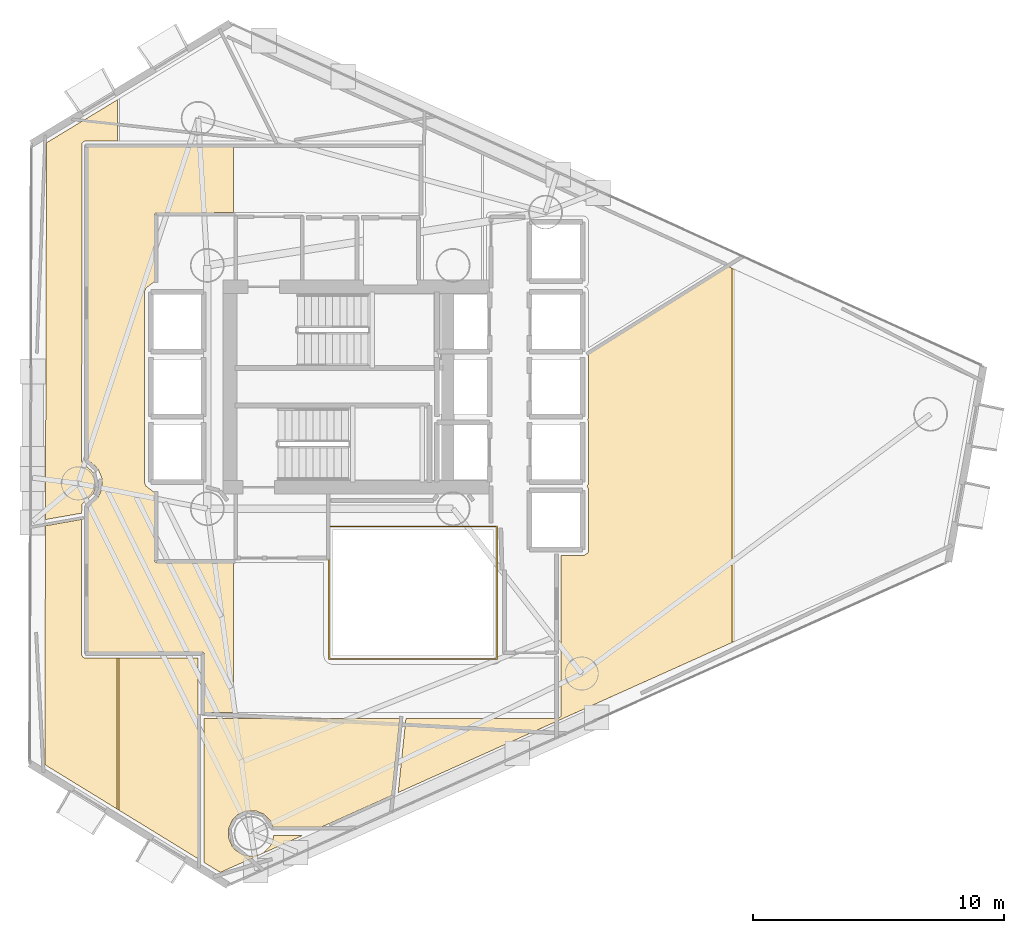
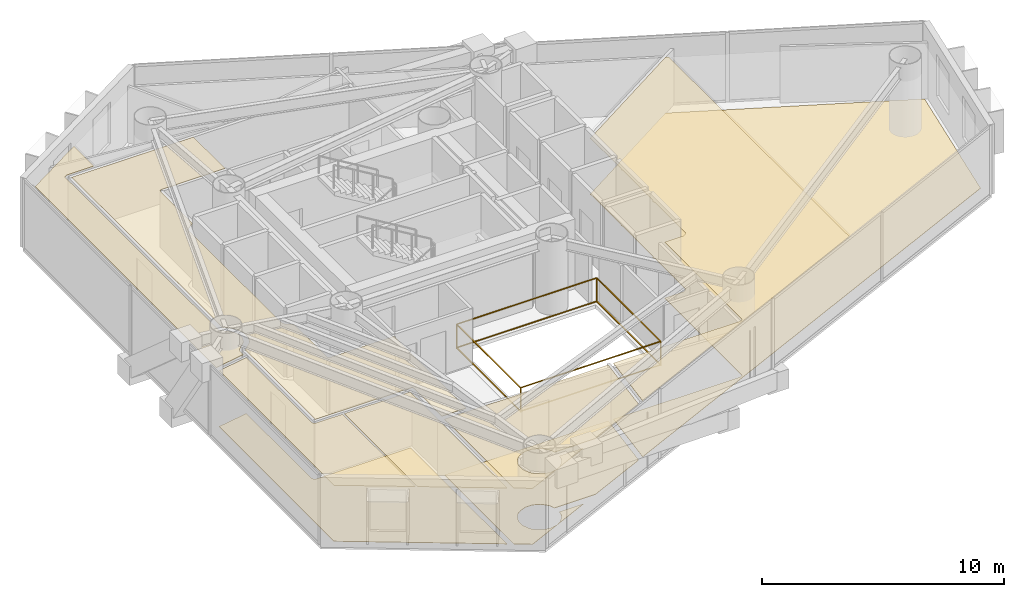
# One storey, part 21 of 23: 9 coverings, 1 railing.
"""IFC4 building model written with IfcOpenShell, lengths in metres."""

from ifc_helpers import new_model, si_unit, direction, frame, origin, origin_2d, place, context, subcontext, project, spatial, polyline, rectangle, outline, extrude, material, layer, layer_set, type_object, element, save


model = new_model("IFC4")

# Units and contexts
model_context = context("Model", 3, precision=1e-05, world=origin(), true_north=direction((0.0, 1.0)))
body_context = subcontext(model_context, "Body", "Model", "MODEL_VIEW")
ifc_project = project(units=[si_unit("LENGTHUNIT", "METRE"), si_unit("AREAUNIT", "SQUARE_METRE"), si_unit("VOLUMEUNIT", "CUBIC_METRE"), si_unit("PLANEANGLEUNIT", "RADIAN"), si_unit("MASSUNIT", "GRAM", prefix="KILO")], contexts=[model_context])

# Site, building, storey
site_placement = place(None, origin())
site = spatial("IfcSite", under=ifc_project, at=site_placement, CompositionType="ELEMENT")
building_placement = place(site_placement, origin())
building = spatial("IfcBuilding", under=site, at=building_placement, Name="Qianvela Tower", CompositionType="ELEMENT")
storey_placement = place(building_placement, frame((0.0, 0.0, 147.60009765625)))
storey = spatial("IfcBuildingStorey", under=building, at=storey_placement, Name="L37", CompositionType="ELEMENT", Elevation=147.60009765625)

# Coverings
ifc_material_1 = material(Name="Perforated Mineral Acoustic Ceiling Tile")
ifc_layer_1 = layer(ifc_material_1, 0.02490234375)
ifc_layer_set_1 = layer_set([ifc_layer_1], Name="Perforated Mineral Acoustic Ceiling Tile")
covering_type_1 = type_object("IfcCoveringType", Name="COV-CEIL-ACOUSTIC-25", PredefinedType="CEILING", material=ifc_layer_set_1)
covering_1_placement = place(storey_placement, frame((0.0, 0.0, 2.81494140625)))
element("IfcCovering", 1, at=covering_1_placement, inside=storey, type_object=covering_type_1, Name="L37 Acoustic Ceiling Bay 1 L37 Floor Corridor", PredefinedType="CEILING", context=body_context, shape_type="SweptSolid", body=[
    extrude(outline(polyline([(24.4033203125, 25.04150390625), (24.40234375, 25.04931640625), (24.400390625, 25.056884765625), (24.397705078125, 25.064208984375), (24.26416015625, 25.386962890625), (24.2607421875, 25.393798828125), (24.256591796875, 25.400634765625), (24.251953125, 25.406982421875), (24.140625, 25.54248046875), (24.135498046875, 25.54833984375), (24.129638671875, 25.5537109375), (23.830078125, 25.799560546875), (23.830078125, 38.27001953125), (29.637451171875, 38.27001953125), (29.637451171875, 35.651611328125), (26.57958984375, 35.639892578125), (26.572021484375, 35.6396484375), (26.564208984375, 35.638427734375), (26.556396484375, 35.636474609375), (26.54931640625, 35.6337890625), (26.5419921875, 35.630615234375), (26.535400390625, 35.62646484375), (26.529052734375, 35.62158203125), (26.523193359375, 35.616455078125), (26.51806640625, 35.610595703125), (26.513427734375, 35.6044921875), (26.509521484375, 35.59765625), (26.506103515625, 35.590576171875), (26.50341796875, 35.583251953125), (26.50146484375, 35.57568359375), (26.50048828125, 35.56787109375), (26.5, 35.56005859375), (26.5, 32.906982421875), (26.173095703125, 32.6630859375), (26.16650390625, 32.65771484375), (26.16064453125, 32.6513671875), (26.1552734375, 32.644775390625), (26.15087890625, 32.637451171875), (26.147216796875, 32.629638671875), (26.106201171875, 32.530517578125), (26.103515625, 32.523193359375), (26.1015625, 32.515625), (26.100341796875, 32.5078125), (26.10009765625, 32.5), (26.10009765625, 24.89990234375), (26.100341796875, 24.89208984375), (26.1015625, 24.884521484375), (26.103515625, 24.876708984375), (26.106201171875, 24.869384765625), (26.147216796875, 24.7705078125), (26.15087890625, 24.7626953125), (26.1552734375, 24.75537109375), (26.16064453125, 24.74853515625), (26.16650390625, 24.742431640625), (26.173095703125, 24.73681640625), (26.5, 24.492919921875), (26.5, 21.780029296875), (26.50048828125, 21.772216796875), (26.50146484375, 21.764404296875), (26.50341796875, 21.7568359375), (26.506103515625, 21.74951171875), (26.509521484375, 21.7421875), (26.513427734375, 21.735595703125), (26.518310546875, 21.729248046875), (26.5234375, 21.723388671875), (26.529296875, 21.71826171875), (26.53564453125, 21.71337890625), (26.542236328125, 21.70947265625), (26.54931640625, 21.7060546875), (26.556884765625, 21.703369140625), (26.564453125, 21.701416015625), (26.572265625, 21.700439453125), (26.580078125, 21.699951171875), (29.637451171875, 21.699951171875), (29.637451171875, 15.72998046875), (28.47998046875, 15.72998046875), (28.47998046875, 18.050048828125), (28.4794921875, 18.057861328125), (28.478515625, 18.065673828125), (28.4765625, 18.0732421875), (28.473876953125, 18.08056640625), (28.470703125, 18.087646484375), (28.466552734375, 18.094482421875), (28.4619140625, 18.100830078125), (28.45654296875, 18.106689453125), (28.45068359375, 18.11181640625), (28.4443359375, 18.116455078125), (28.437744140625, 18.12060546875), (28.4306640625, 18.123779296875), (28.423095703125, 18.126708984375), (28.41552734375, 18.12841796875), (28.40771484375, 18.129638671875), (28.39990234375, 18.1298828125), (23.830078125, 18.1298828125), (23.830078125, 23.921142578125), (24.244384765625, 24.302978515625), (24.25048828125, 24.30908203125), (24.255859375, 24.31591796875), (24.26025390625, 24.3232421875), (24.26416015625, 24.3310546875), (24.397705078125, 24.65380859375), (24.400390625, 24.6611328125), (24.40234375, 24.668701171875), (24.4033203125, 24.676513671875), (24.40380859375, 24.684326171875), (24.40380859375, 25.03369140625), (24.4033203125, 25.04150390625)])), origin(), (0.0, 0.0, 1.0), 0.02490234375),
])
covering_2_placement = place(storey_placement, frame((0.0, 0.0, 2.81494140625)))
element("IfcCovering", 2, at=covering_2_placement, inside=storey, type_object=covering_type_1, Name="L37 Acoustic Ceiling Bay 1 Media Practice Cinema L37-01", PredefinedType="CEILING", context=body_context, shape_type="SweptSolid", body=[
    extrude(outline(polyline([(23.590087890625, 18.050048828125), (23.59033203125, 18.042236328125), (23.591552734375, 18.034423828125), (23.593505859375, 18.02685546875), (23.59619140625, 18.019287109375), (23.599365234375, 18.01220703125), (23.635009765625, 17.94580078125), (23.638916015625, 17.939208984375), (23.643798828125, 17.932861328125), (23.64892578125, 17.927001953125), (23.65478515625, 17.921630859375), (23.660888671875, 17.9169921875), (23.667724609375, 17.9130859375), (23.6748046875, 17.90966796875), (23.68212890625, 17.906982421875), (23.689697265625, 17.905029296875), (23.697509765625, 17.90380859375), (23.705322265625, 17.903564453125), (24.989501953125, 17.899658203125), (24.989501953125, 11.8857421875), (22.12060546875, 13.64697265625), (22.147216796875, 23.1689453125), (23.590087890625, 23.42333984375), (23.590087890625, 18.050048828125)])), origin(), (0.0, 0.0, 1.0), 0.02490234375),
])
covering_3_placement = place(storey_placement, frame((0.0, 0.0, 2.81494140625)))
element("IfcCovering", 3, at=covering_3_placement, inside=storey, type_object=covering_type_1, Name="L37 Acoustic Ceiling Bay 2 Media Practice Cinema L37-01", PredefinedType="CEILING", context=body_context, shape_type="SweptSolid", body=[
    extrude(outline(polyline([(28.2197265625, 17.890380859375), (28.2197265625, 9.902587890625), (25.069580078125, 11.836669921875), (25.069580078125, 17.8994140625), (28.2197265625, 17.890380859375)])), origin(), (0.0, 0.0, 1.0), 0.02490234375),
])
covering_4_placement = place(storey_placement, frame((0.0, 0.0, 2.81494140625)))
element("IfcCovering", 4, at=covering_4_placement, inside=storey, type_object=covering_type_1, Name="L37 Acoustic Ceiling Student Fitness Gym L37-02", PredefinedType="CEILING", context=body_context, shape_type="SweptSolid", body=[
    extrude(outline(polyline([(33.16455078125, 11.16748046875), (31.2158203125, 11.16259765625), (31.114990234375, 11.40380859375), (31.11181640625, 11.410888671875), (31.107666015625, 11.41748046875), (31.10302734375, 11.423583984375), (31.097900390625, 11.429443359375), (30.867431640625, 11.659912109375), (30.86181640625, 11.6650390625), (30.855224609375, 11.669921875), (30.8486328125, 11.673828125), (30.841552734375, 11.67724609375), (30.54052734375, 11.802001953125), (30.533203125, 11.804443359375), (30.525390625, 11.806396484375), (30.517578125, 11.8076171875), (30.510009765625, 11.80810546875), (30.18408203125, 11.80810546875), (30.17626953125, 11.8076171875), (30.16845703125, 11.806396484375), (30.160888671875, 11.804443359375), (30.153564453125, 11.802001953125), (29.8525390625, 11.67724609375), (29.845458984375, 11.673828125), (29.838623046875, 11.669921875), (29.832275390625, 11.6650390625), (29.705810546875, 11.561279296875), (29.699951171875, 11.555908203125), (29.694580078125, 11.55029296875), (29.5908203125, 11.423583984375), (29.586181640625, 11.417236328125), (29.582275390625, 11.41064453125), (29.578857421875, 11.403564453125), (29.4541015625, 11.1025390625), (29.451416015625, 11.09521484375), (29.44970703125, 11.08740234375), (29.448486328125, 11.07958984375), (29.447998046875, 11.072021484375), (29.447998046875, 10.74609375), (29.448486328125, 10.73828125), (29.44970703125, 10.73046875), (29.451416015625, 10.722900390625), (29.4541015625, 10.715576171875), (29.578857421875, 10.41455078125), (29.582275390625, 10.407470703125), (29.586181640625, 10.400634765625), (29.5908203125, 10.394287109375), (29.694580078125, 10.267822265625), (29.699951171875, 10.261962890625), (29.705810546875, 10.256591796875), (29.712158203125, 10.251953125), (29.98291015625, 10.071044921875), (29.98974609375, 10.06689453125), (29.996826171875, 10.063720703125), (30.004150390625, 10.06103515625), (30.011962890625, 10.05908203125), (30.331298828125, 9.99560546875), (30.339111328125, 9.994384765625), (30.346923828125, 9.993896484375), (30.354736328125, 9.994384765625), (30.362548828125, 9.99560546875), (30.68212890625, 10.05908203125), (30.689697265625, 10.06103515625), (30.697265625, 10.063720703125), (30.704345703125, 10.06689453125), (30.8486328125, 10.144287109375), (30.855224609375, 10.148193359375), (30.86181640625, 10.15283203125), (30.867431640625, 10.158203125), (31.097900390625, 10.388427734375), (31.10302734375, 10.394287109375), (31.10791015625, 10.400634765625), (31.11181640625, 10.407470703125), (31.18896484375, 10.5517578125), (31.1923828125, 10.558837890625), (31.195068359375, 10.566162109375), (31.197021484375, 10.57373046875), (31.246826171875, 10.82275390625), (32.403564453125, 10.82568359375), (29.11962890625, 9.350341796875), (28.463623046875, 9.7529296875), (28.46435546875, 15.491455078125), (36.272705078125, 15.489990234375), (35.949951171875, 12.4189453125), (33.16455078125, 11.16748046875)])), origin(), (0.0, 0.0, 1.0), 0.02490234375),
])
covering_5_placement = place(storey_placement, frame((0.0, 0.0, 2.81494140625)))
element("IfcCovering", 5, at=covering_5_placement, inside=storey, type_object=covering_type_1, Name="L37 Acoustic Ceiling Bay 1 Maker Craft Workshop L37-03", PredefinedType="CEILING", context=body_context, shape_type="SweptSolid", body=[
    extrude(outline(polyline([(43.771240234375, 24.795654296875), (43.77587890625, 24.802001953125), (43.77978515625, 24.80859375), (43.783203125, 24.815673828125), (43.785888671875, 24.822998046875), (43.787841796875, 24.83056640625), (43.788818359375, 24.83837890625), (43.789306640625, 24.84619140625), (43.800048828125, 27.2998046875), (43.799560546875, 27.3076171875), (43.798583984375, 27.315673828125), (43.79638671875, 27.323486328125), (43.793701171875, 27.3310546875), (43.7646484375, 27.39990234375), (43.793701171875, 27.468994140625), (43.79638671875, 27.476318359375), (43.79833984375, 27.484130859375), (43.799560546875, 27.491943359375), (43.800048828125, 27.5), (43.800048828125, 29.89990234375), (43.799560546875, 29.907958984375), (43.79833984375, 29.915771484375), (43.79638671875, 29.923583984375), (43.793701171875, 29.93115234375), (43.7705078125, 29.986572265625), (49.387451171875, 33.49658203125), (49.52099609375, 33.435791015625), (49.52099609375, 18.51611328125), (36.20751953125, 12.53466796875), (36.51806640625, 15.489990234375), (42.550048828125, 15.489990234375), (42.557861328125, 15.490478515625), (42.565673828125, 15.491455078125), (42.5732421875, 15.493408203125), (42.58056640625, 15.49609375), (42.587646484375, 15.49951171875), (42.654296875, 15.534912109375), (42.660888671875, 15.5390625), (42.667236328125, 15.543701171875), (42.673095703125, 15.549072265625), (42.67822265625, 15.5546875), (42.68310546875, 15.56103515625), (42.68701171875, 15.56787109375), (42.6904296875, 15.57470703125), (42.693115234375, 15.582275390625), (42.695068359375, 15.58984375), (42.696044921875, 15.59765625), (42.696533203125, 15.60546875), (42.708984375, 21.97998046875), (43.59375, 21.980712890625), (43.602294921875, 21.981201171875), (43.610595703125, 21.982421875), (43.618896484375, 21.984619140625), (43.626708984375, 21.98779296875), (43.63427734375, 21.99169921875), (43.641357421875, 21.996337890625), (43.757080078125, 22.082275390625), (43.763427734375, 22.08740234375), (43.769287109375, 22.09326171875), (43.7744140625, 22.099609375), (43.77880859375, 22.106689453125), (43.782470703125, 22.114013671875), (43.785400390625, 22.12158203125), (43.78759765625, 22.129638671875), (43.788818359375, 22.137939453125), (43.789306640625, 22.14599609375), (43.79931640625, 24.61328125), (43.799072265625, 24.62060546875), (43.798095703125, 24.627685546875), (43.796630859375, 24.634521484375), (43.79443359375, 24.641357421875), (43.79150390625, 24.64794921875), (43.751220703125, 24.733154296875), (43.74755859375, 24.739990234375), (43.743408203125, 24.74658203125), (43.73828125, 24.752685546875), (43.737060546875, 24.75390625), (43.771240234375, 24.795654296875)])), origin(), (0.0, 0.0, 1.0), 0.02490234375),
])
covering_6_placement = place(storey_placement, frame((0.0, 0.0, 2.81494140625)))
element("IfcCovering", 6, at=covering_6_placement, inside=storey, type_object=covering_type_1, Name="L37 Acoustic Ceiling Bay 1 Student Bookshop Market L37-04", PredefinedType="CEILING", context=body_context, shape_type="SweptSolid", body=[
    extrude(outline(polyline([(23.7421875, 38.509521484375), (23.734375, 38.508544921875), (23.726806640625, 38.506591796875), (23.719482421875, 38.50390625), (23.71240234375, 38.50048828125), (23.645751953125, 38.465087890625), (23.638916015625, 38.4609375), (23.6328125, 38.456298828125), (23.626953125, 38.450927734375), (23.62158203125, 38.4453125), (23.616943359375, 38.43896484375), (23.613037109375, 38.43212890625), (23.609619140625, 38.425048828125), (23.60693359375, 38.417724609375), (23.60498046875, 38.41015625), (23.60400390625, 38.40234375), (23.603515625, 38.39453125), (23.590087890625, 25.76171875), (23.59033203125, 25.75390625), (23.591552734375, 25.74609375), (23.593505859375, 25.738525390625), (23.59619140625, 25.731201171875), (23.619384765625, 25.674560546875), (23.622802734375, 25.66748046875), (23.626953125, 25.660888671875), (23.631591796875, 25.654541015625), (23.63671875, 25.648681640625), (23.642578125, 25.643310546875), (23.965087890625, 25.378173828125), (24.051513671875, 25.273193359375), (24.163818359375, 25.001708984375), (24.163818359375, 24.71630859375), (24.0556640625, 24.455322265625), (23.6259765625, 24.05419921875), (23.620361328125, 24.048583984375), (23.615478515625, 24.042236328125), (23.611083984375, 24.03564453125), (23.607421875, 24.028564453125), (23.6044921875, 24.021240234375), (23.6025390625, 24.013671875), (23.60107421875, 24.005859375), (23.6005859375, 23.997802734375), (23.591796875, 23.67138671875), (22.14794921875, 23.4169921875), (22.189697265625, 38.438720703125), (25.026123046875, 40.158203125), (25.026123046875, 38.510009765625), (23.75, 38.510009765625), (23.7421875, 38.509521484375)])), origin(), (0.0, 0.0, 1.0), 0.02490234375),
])
ifc_material_2 = material(Name="Engineered Acoustic Oak Timber Flooring", Category="wood")
ifc_layer_2 = layer(ifc_material_2, 0.02001953125)
ifc_layer_set_2 = layer_set([ifc_layer_2], Name="Engineered Acoustic Oak Timber Flooring")
covering_type_2 = type_object("IfcCoveringType", Name="COV-FLOOR-OAK-20", PredefinedType="FLOORING", material=ifc_layer_set_2)
covering_7_placement = place(storey_placement, origin())
element("IfcCovering", 7, at=covering_7_placement, inside=storey, type_object=covering_type_2, Name="L37 Finish Flooring Media Practice Cinema L37-01", PredefinedType="FLOORING", context=body_context, shape_type="SweptSolid", body=[
    extrude(outline(polyline([(23.590087890625, 23.42333984375), (23.590087890625, 18.050048828125), (23.59033203125, 18.042236328125), (23.591552734375, 18.034423828125), (23.593505859375, 18.02685546875), (23.59619140625, 18.019287109375), (23.599365234375, 18.01220703125), (23.635009765625, 17.94580078125), (23.638916015625, 17.939208984375), (23.643798828125, 17.932861328125), (23.64892578125, 17.927001953125), (23.65478515625, 17.921630859375), (23.660888671875, 17.9169921875), (23.667724609375, 17.9130859375), (23.6748046875, 17.90966796875), (23.68212890625, 17.906982421875), (23.689697265625, 17.905029296875), (23.697509765625, 17.90380859375), (23.705322265625, 17.903564453125), (28.2197265625, 17.890380859375), (28.2197265625, 9.902587890625), (22.12060546875, 13.64697265625), (22.147216796875, 23.1689453125), (23.590087890625, 23.42333984375)])), origin(), (0.0, 0.0, 1.0), 0.02001953125),
])
covering_8_placement = place(storey_placement, origin())
element("IfcCovering", 8, at=covering_8_placement, inside=storey, type_object=covering_type_2, Name="L37 Finish Flooring Student Fitness Gym L37-02", PredefinedType="FLOORING", context=body_context, shape_type="SweptSolid", body=[
    extrude(outline(polyline([(33.16455078125, 11.16748046875), (31.2158203125, 11.16259765625), (31.114990234375, 11.40380859375), (31.11181640625, 11.410888671875), (31.107666015625, 11.41748046875), (31.10302734375, 11.423583984375), (31.097900390625, 11.429443359375), (30.867431640625, 11.659912109375), (30.86181640625, 11.6650390625), (30.855224609375, 11.669921875), (30.8486328125, 11.673828125), (30.841552734375, 11.67724609375), (30.54052734375, 11.802001953125), (30.533203125, 11.804443359375), (30.525390625, 11.806396484375), (30.517578125, 11.8076171875), (30.510009765625, 11.80810546875), (30.18408203125, 11.80810546875), (30.17626953125, 11.8076171875), (30.16845703125, 11.806396484375), (30.160888671875, 11.804443359375), (30.153564453125, 11.802001953125), (29.8525390625, 11.67724609375), (29.845458984375, 11.673828125), (29.838623046875, 11.669921875), (29.832275390625, 11.6650390625), (29.705810546875, 11.561279296875), (29.699951171875, 11.555908203125), (29.694580078125, 11.55029296875), (29.5908203125, 11.423583984375), (29.586181640625, 11.417236328125), (29.582275390625, 11.41064453125), (29.578857421875, 11.403564453125), (29.4541015625, 11.1025390625), (29.451416015625, 11.09521484375), (29.44970703125, 11.08740234375), (29.448486328125, 11.07958984375), (29.447998046875, 11.072021484375), (29.447998046875, 10.74609375), (29.448486328125, 10.73828125), (29.44970703125, 10.73046875), (29.451416015625, 10.722900390625), (29.4541015625, 10.715576171875), (29.578857421875, 10.41455078125), (29.582275390625, 10.407470703125), (29.586181640625, 10.400634765625), (29.5908203125, 10.394287109375), (29.694580078125, 10.267822265625), (29.699951171875, 10.261962890625), (29.705810546875, 10.256591796875), (29.712158203125, 10.251953125), (29.98291015625, 10.071044921875), (29.98974609375, 10.06689453125), (29.996826171875, 10.063720703125), (30.004150390625, 10.06103515625), (30.011962890625, 10.05908203125), (30.331298828125, 9.99560546875), (30.339111328125, 9.994384765625), (30.346923828125, 9.993896484375), (30.354736328125, 9.994384765625), (30.362548828125, 9.99560546875), (30.68212890625, 10.05908203125), (30.689697265625, 10.06103515625), (30.697265625, 10.063720703125), (30.704345703125, 10.06689453125), (30.8486328125, 10.144287109375), (30.855224609375, 10.148193359375), (30.86181640625, 10.15283203125), (30.867431640625, 10.158203125), (31.097900390625, 10.388427734375), (31.10302734375, 10.394287109375), (31.10791015625, 10.400634765625), (31.11181640625, 10.407470703125), (31.18896484375, 10.5517578125), (31.1923828125, 10.558837890625), (31.195068359375, 10.566162109375), (31.197021484375, 10.57373046875), (31.246826171875, 10.82275390625), (32.403564453125, 10.82568359375), (29.11962890625, 9.350341796875), (28.463623046875, 9.7529296875), (28.46435546875, 15.491455078125), (36.272705078125, 15.489990234375), (35.949951171875, 12.4189453125), (33.16455078125, 11.16748046875)])), origin(), (0.0, 0.0, 1.0), 0.02001953125),
])
covering_9_placement = place(storey_placement, origin())
element("IfcCovering", 9, at=covering_9_placement, inside=storey, type_object=covering_type_2, Name="L37 Finish Flooring Maker Craft Workshop L37-03", PredefinedType="FLOORING", context=body_context, shape_type="SweptSolid", body=[
    extrude(outline(polyline([(43.737060546875, 24.75390625), (43.771240234375, 24.795654296875), (43.77587890625, 24.802001953125), (43.77978515625, 24.80859375), (43.783203125, 24.815673828125), (43.785888671875, 24.822998046875), (43.787841796875, 24.83056640625), (43.788818359375, 24.83837890625), (43.789306640625, 24.84619140625), (43.800048828125, 27.2998046875), (43.799560546875, 27.3076171875), (43.798583984375, 27.315673828125), (43.79638671875, 27.323486328125), (43.793701171875, 27.3310546875), (43.7646484375, 27.39990234375), (43.793701171875, 27.468994140625), (43.79638671875, 27.476318359375), (43.79833984375, 27.484130859375), (43.799560546875, 27.491943359375), (43.800048828125, 27.5), (43.800048828125, 29.89990234375), (43.799560546875, 29.907958984375), (43.79833984375, 29.915771484375), (43.79638671875, 29.923583984375), (43.793701171875, 29.93115234375), (43.7705078125, 29.986572265625), (49.387451171875, 33.49658203125), (59.17236328125, 29.03466796875), (57.96435546875, 22.309326171875), (36.20751953125, 12.53466796875), (36.51806640625, 15.489990234375), (42.550048828125, 15.489990234375), (42.557861328125, 15.490478515625), (42.565673828125, 15.491455078125), (42.5732421875, 15.493408203125), (42.58056640625, 15.49609375), (42.587646484375, 15.49951171875), (42.654296875, 15.534912109375), (42.660888671875, 15.5390625), (42.667236328125, 15.543701171875), (42.673095703125, 15.549072265625), (42.67822265625, 15.5546875), (42.68310546875, 15.56103515625), (42.68701171875, 15.56787109375), (42.6904296875, 15.57470703125), (42.693115234375, 15.582275390625), (42.695068359375, 15.58984375), (42.696044921875, 15.59765625), (42.696533203125, 15.60546875), (42.708984375, 21.97998046875), (43.59375, 21.980712890625), (43.602294921875, 21.981201171875), (43.610595703125, 21.982421875), (43.618896484375, 21.984619140625), (43.626708984375, 21.98779296875), (43.63427734375, 21.99169921875), (43.641357421875, 21.996337890625), (43.757080078125, 22.082275390625), (43.763427734375, 22.08740234375), (43.769287109375, 22.09326171875), (43.7744140625, 22.099609375), (43.77880859375, 22.106689453125), (43.782470703125, 22.114013671875), (43.785400390625, 22.12158203125), (43.78759765625, 22.129638671875), (43.788818359375, 22.137939453125), (43.789306640625, 22.14599609375), (43.79931640625, 24.61328125), (43.799072265625, 24.62060546875), (43.798095703125, 24.627685546875), (43.796630859375, 24.634521484375), (43.79443359375, 24.641357421875), (43.79150390625, 24.64794921875), (43.751220703125, 24.733154296875), (43.74755859375, 24.739990234375), (43.743408203125, 24.74658203125), (43.73828125, 24.752685546875), (43.737060546875, 24.75390625)])), origin(), (0.0, 0.0, 1.0), 0.02001953125),
])

# Railing
ifc_material_3 = material(Name="Laminated Safety Glass and Stainless Steel 316", Category="steel")
railing_type = type_object("IfcRailingType", Name="RL-ATRIUM-GUARD-1250", PredefinedType="GUARDRAIL", material=ifc_material_3)
railing_placement = place(storey_placement, frame((33.4599609375, 17.860107421875, 0.0)))
element("IfcRailing", 10, at=railing_placement, inside=storey, type_object=railing_type, Name="L37 Atrium Edge Guardrail 1", PredefinedType="GUARDRAIL", context=body_context, shape_type="SweptSolid", body=[
    extrude(rectangle(XDim=0.050048828125, YDim=0.0400390625, at=origin_2d()), frame((0.0, 0.0, 1.22998046875), z_axis=(0.0, 1.0, 0.0), x_axis=(-1.0, 0.0, 0.0)), (0.0, 0.0, 1.0), 5.27978515625),
    extrude(rectangle(XDim=0.050048828125, YDim=0.0400390625, at=origin_2d()), frame((0.0, 0.0, 0.050048828125), z_axis=(0.0, 1.0, 0.0), x_axis=(-1.0, 0.0, 0.0)), (0.0, 0.0, 1.0), 5.27978515625),
    extrude(rectangle(XDim=0.050048828125, YDim=0.0400390625, at=origin_2d()), frame((0.0, 5.27978515625, 1.22998046875), z_axis=(1.0, 0.0, 0.0), x_axis=(0.0, 1.0, 0.0)), (0.0, 0.0, 1.0), 6.679931640625),
    extrude(rectangle(XDim=0.050048828125, YDim=0.0400390625, at=origin_2d()), frame((0.0, 5.27978515625, 0.050048828125), z_axis=(1.0, 0.0, 0.0), x_axis=(0.0, 1.0, 0.0)), (0.0, 0.0, 1.0), 6.679931640625),
    extrude(rectangle(XDim=0.050048828125, YDim=0.0400390625, at=origin_2d()), frame((6.679931640625, 5.27978515625, 1.22998046875), z_axis=(0.0, -1.0, 0.0), x_axis=(1.0, 0.0, 0.0)), (0.0, 0.0, 1.0), 5.27978515625),
    extrude(rectangle(XDim=0.050048828125, YDim=0.0400390625, at=origin_2d()), frame((6.679931640625, 5.27978515625, 0.050048828125), z_axis=(0.0, -1.0, 0.0), x_axis=(1.0, 0.0, 0.0)), (0.0, 0.0, 1.0), 5.27978515625),
    extrude(rectangle(XDim=0.050048828125, YDim=0.0400390625, at=origin_2d()), frame((6.679931640625, 0.0, 1.22998046875), z_axis=(-1.0, 0.0, 0.0), x_axis=(0.0, -1.0, 0.0)), (0.0, 0.0, 1.0), 6.679931640625),
    extrude(rectangle(XDim=0.050048828125, YDim=0.0400390625, at=origin_2d()), frame((6.679931640625, 0.0, 0.050048828125), z_axis=(-1.0, 0.0, 0.0), x_axis=(0.0, -1.0, 0.0)), (0.0, 0.0, 1.0), 6.679931640625),
    extrude(rectangle(XDim=0.050048828125, YDim=0.050048828125, at=origin_2d()), origin(), (0.0, 0.0, 1.0), 1.2099609375),
    extrude(rectangle(XDim=0.050048828125, YDim=0.050048828125, at=origin_2d()), frame((0.0, 5.27978515625, 0.0)), (0.0, 0.0, 1.0), 1.2099609375),
    extrude(rectangle(XDim=0.050048828125, YDim=0.050048828125, at=origin_2d()), frame((6.679931640625, 5.27978515625, 0.0)), (0.0, 0.0, 1.0), 1.2099609375),
    extrude(rectangle(XDim=0.050048828125, YDim=0.050048828125, at=origin_2d()), frame((6.679931640625, 0.0, 0.0)), (0.0, 0.0, 1.0), 1.2099609375),
])

save(model, "model.ifc")
